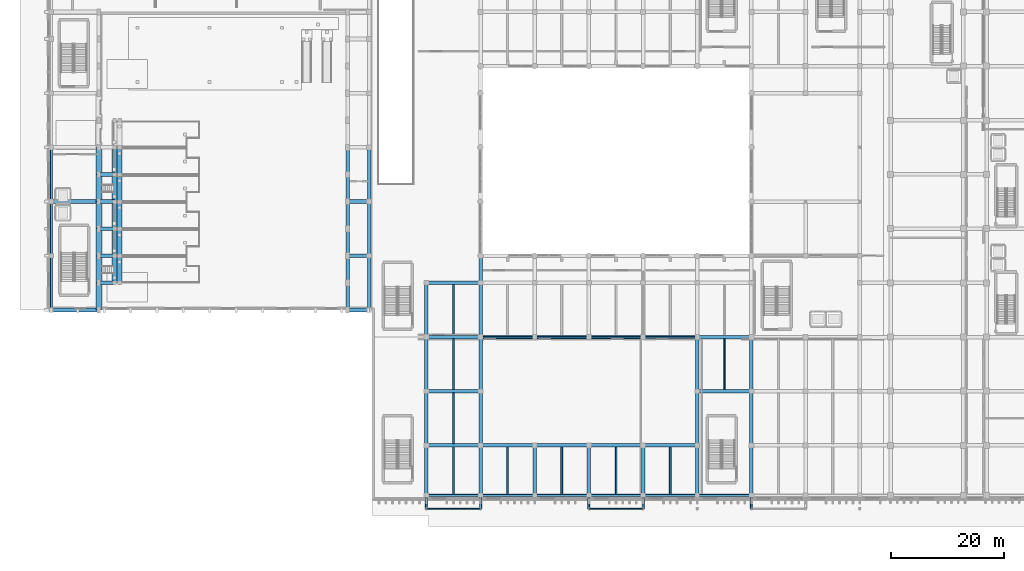
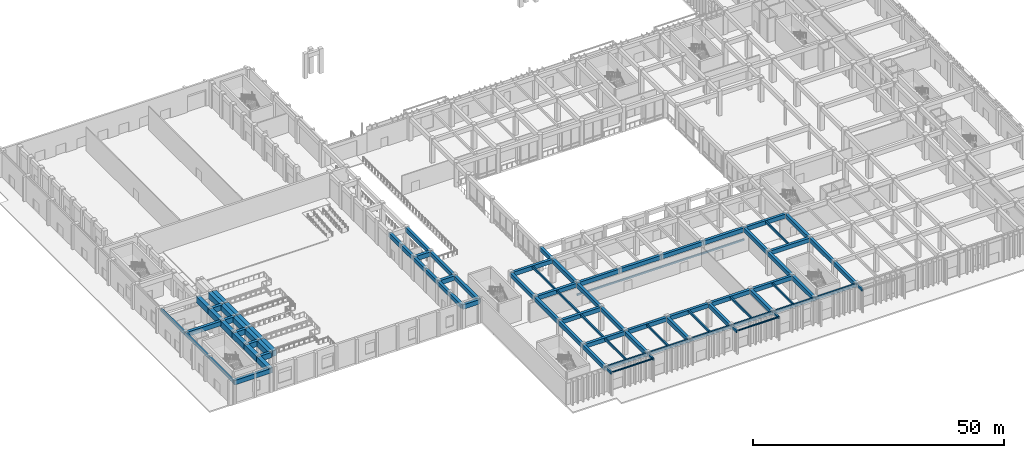
# One storey, part 15 of 87: 96 beams.
"""IFC4 building model written with IfcOpenShell, lengths in metres."""

from ifc_helpers import new_model, si_unit, direction, frame, origin, origin_2d, place, context, subcontext, project, spatial, rectangle, i_section, extrude, material, material_profile, profile_set, type_object, element, save


model = new_model("IFC4")

# Units and contexts
model_context = context("Model", 3, precision=1e-05, world=origin(), true_north=direction((0.0, 1.0)))
body_context = subcontext(model_context, "Body", "Model", "MODEL_VIEW")
ifc_project = project(units=[si_unit("LENGTHUNIT", "METRE"), si_unit("AREAUNIT", "SQUARE_METRE"), si_unit("VOLUMEUNIT", "CUBIC_METRE"), si_unit("PLANEANGLEUNIT", "RADIAN"), si_unit("MASSUNIT", "GRAM", prefix="KILO")], contexts=[model_context])

# Site, building, storey
site_placement = place(None, origin())
site = spatial("IfcSite", under=ifc_project, at=site_placement, CompositionType="ELEMENT")
building_placement = place(site_placement, origin())
building = spatial("IfcBuilding", under=site, at=building_placement, Name="Nakhvara Creek Congress Hotel", CompositionType="ELEMENT")
storey_placement = place(building_placement, origin())
storey = spatial("IfcBuildingStorey", under=building, at=storey_placement, Name="L00", CompositionType="ELEMENT", Elevation=0.0)

# Beams
ifc_material_1 = material(Name="Concrete C40/50", Category="concrete")
ifc_material_profile_1 = material_profile(ifc_material_1, rectangle(XDim=0.35009765625, YDim=0.550048828125, at=origin_2d()), Name="RC-BM 350x550", Category="LoadBearing")
ifc_profile_set_1 = profile_set([ifc_material_profile_1], Name="Concrete C40/50")
beam_type_1 = type_object("IfcBeamType", Name="BM-CANT-BOX", PredefinedType="BEAM", material=ifc_profile_set_1)
for number, where, z_axis, x_axis, name in (
    (1, (67.199951171875, 0.75, 5.425048828125), (0.0, -1.0, 0.0), (1.0, 0.0, 0.0), "Foyer Box Outrigger Beam PBOX-L01-S1-67"),
    (2, (76.800048828125, 0.75, 5.425048828125), (0.0, -1.0, 0.0), (1.0, 0.0, 0.0), "Foyer Box Outrigger Beam PBOX-L01-S1-76"),
    (3, (96.0, 0.75, 5.425048828125), (0.0, -1.0, 0.0), (1.0, 0.0, 0.0), "Foyer Box Outrigger Beam PBOX-L01-S2-96"),
    (4, (105.60009765625, 0.75, 5.425048828125), (0.0, -1.0, 0.0), (1.0, 0.0, 0.0), "Foyer Box Outrigger Beam PBOX-L01-S2-105"),
    (5, (124.800048828125, 0.75, 5.425048828125), (0.0, -1.0, 0.0), (1.0, 0.0, 0.0), "Foyer Box Outrigger Beam PBOX-L01-S3-124"),
):
    element("IfcBeam", number, at=place(storey_placement, frame(where, z_axis=z_axis, x_axis=x_axis)), inside=storey, type_object=beam_type_1, Name=name, PredefinedType="BEAM", context=body_context, shape_type="SweptSolid", body=[
        extrude(rectangle(XDim=0.35009765625, YDim=0.550048828125, at=origin_2d()), origin(), (0.0, 0.0, 1.0), 2.39990234375),
    ])
ifc_material_profile_2 = material_profile(ifc_material_1, rectangle(XDim=0.300048828125, YDim=0.5, at=origin_2d()), Name="RC-BM 300x500", Category="LoadBearing")
ifc_profile_set_2 = profile_set([ifc_material_profile_2], Name="Concrete C40/50")
beam_type_2 = type_object("IfcBeamType", Name="BM-JST-300X500", PredefinedType="JOIST", material=ifc_profile_set_2)
beam_1_placement = place(storey_placement, frame((72.0, 0.925048828125, 5.449951171875), z_axis=(0.0, 1.0, 0.0), x_axis=(-1.0, 0.0, 0.0)))
element("IfcBeam", 6, at=beam_1_placement, inside=storey, type_object=beam_type_2, Name="Secondary Joist BJ1-L00-1029", PredefinedType="JOIST", context=body_context, shape_type="SweptSolid", body=[
    extrude(rectangle(XDim=0.300048828125, YDim=0.5, at=origin_2d()), origin(), (0.0, 0.0, 1.0), 8.364990234375),
])
for number, where, z_axis, x_axis, name in (
    (7, (72.0, 9.909912109375, 5.449951171875), (0.0, 1.0, 0.0), (-1.0, 0.0, 0.0), "Secondary Joist BJ1-L00-1030"),
    (8, (72.0, 19.510009765625, 5.449951171875), (0.0, 1.0, 0.0), (-1.0, 0.0, 0.0), "Secondary Joist BJ1-L00-1031"),
    (9, (72.0, 29.110107421875, 5.449951171875), (0.0, 1.0, 0.0), (-1.0, 0.0, 0.0), "Secondary Joist BJ1-L00-1032"),
):
    element("IfcBeam", number, at=place(storey_placement, frame(where, z_axis=z_axis, x_axis=x_axis)), inside=storey, type_object=beam_type_2, Name=name, PredefinedType="JOIST", context=body_context, shape_type="SweptSolid", body=[
        extrude(rectangle(XDim=0.300048828125, YDim=0.5, at=origin_2d()), origin(), (0.0, 0.0, 1.0), 8.97998046875),
    ])
for number, where, z_axis, x_axis, name in (
    (10, (81.60009765625, 0.925048828125, 5.449951171875), (0.0, 1.0, 0.0), (-1.0, 0.0, 0.0), "Secondary Joist BJ1-L00-1033"),
    (11, (91.199951171875, 0.925048828125, 5.449951171875), (0.0, 1.0, 0.0), (-1.0, 0.0, 0.0), "Secondary Joist BJ1-L00-1037"),
    (12, (100.800048828125, 0.925048828125, 5.449951171875), (0.0, 1.0, 0.0), (-1.0, 0.0, 0.0), "Secondary Joist BJ1-L00-1041"),
    (13, (110.39990234375, 0.925048828125, 5.449951171875), (0.0, 1.0, 0.0), (-1.0, 0.0, 0.0), "Secondary Joist BJ1-L00-1045"),
):
    element("IfcBeam", number, at=place(storey_placement, frame(where, z_axis=z_axis, x_axis=x_axis)), inside=storey, type_object=beam_type_2, Name=name, PredefinedType="JOIST", context=body_context, shape_type="SweptSolid", body=[
        extrude(rectangle(XDim=0.300048828125, YDim=0.5, at=origin_2d()), origin(), (0.0, 0.0, 1.0), 8.364990234375),
    ])
beam_2_placement = place(storey_placement, frame((120.0, 19.510009765625, 5.449951171875), z_axis=(0.0, 1.0, 0.0), x_axis=(-1.0, 0.0, 0.0)))
element("IfcBeam", 14, at=beam_2_placement, inside=storey, type_object=beam_type_2, Name="Secondary Joist BJ1-L00-1049", PredefinedType="JOIST", context=body_context, shape_type="SweptSolid", body=[
    extrude(rectangle(XDim=0.300048828125, YDim=0.5, at=origin_2d()), origin(), (0.0, 0.0, 1.0), 8.97998046875),
])
ifc_material_profile_3 = material_profile(ifc_material_1, rectangle(XDim=0.300048828125, YDim=0.39990234375, at=origin_2d()), Name="RC-LINTEL 300x400", Category="LoadBearing")
ifc_profile_set_3 = profile_set([ifc_material_profile_3], Name="Concrete C40/50")
beam_type_3 = type_object("IfcBeamType", Name="BM-LIN-300X400", PredefinedType="LINTEL", material=ifc_profile_set_3)
beam_3_placement = place(storey_placement, frame((76.800048828125, 28.800048828125, 2.64990234375), z_axis=(1.0, 0.0, 0.0), x_axis=(0.0, 1.0, 0.0)))
element("IfcBeam", 15, at=beam_3_placement, inside=storey, type_object=beam_type_3, Name="Opening Lintel Beam 01", PredefinedType="LINTEL", context=body_context, shape_type="SweptSolid", body=[
    extrude(rectangle(XDim=0.300048828125, YDim=0.39990234375, at=origin_2d()), origin(), (0.0, 0.0, 1.0), 9.599853515625),
])
for number, where, z_axis, x_axis, name in (
    (16, (86.39990234375, 28.800048828125, 2.64990234375), (1.0, 0.0, 0.0), (0.0, 1.0, 0.0), "Opening Lintel Beam 02"),
    (17, (96.0, 28.800048828125, 2.64990234375), (1.0, 0.0, 0.0), (0.0, 1.0, 0.0), "Opening Lintel Beam 03"),
):
    element("IfcBeam", number, at=place(storey_placement, frame(where, z_axis=z_axis, x_axis=x_axis)), inside=storey, type_object=beam_type_3, Name=name, PredefinedType="LINTEL", context=body_context, shape_type="SweptSolid", body=[
        extrude(rectangle(XDim=0.300048828125, YDim=0.39990234375, at=origin_2d()), origin(), (0.0, 0.0, 1.0), 9.60009765625),
    ])
beam_4_placement = place(storey_placement, frame((105.60009765625, 28.800048828125, 2.64990234375), z_axis=(1.0, 0.0, 0.0), x_axis=(0.0, 1.0, 0.0)))
element("IfcBeam", 18, at=beam_4_placement, inside=storey, type_object=beam_type_3, Name="Opening Lintel Beam 04", PredefinedType="LINTEL", context=body_context, shape_type="SweptSolid", body=[
    extrude(rectangle(XDim=0.300048828125, YDim=0.39990234375, at=origin_2d()), origin(), (0.0, 0.0, 1.0), 9.599853515625),
])
ifc_material_2 = material(Name="Concrete C50/60", Category="concrete")
ifc_material_profile_4 = material_profile(ifc_material_2, rectangle(XDim=0.64990234375, YDim=1.300048828125, at=origin_2d()), Name="RC-RAKER 650x1300", Category="LoadBearing")
ifc_profile_set_4 = profile_set([ifc_material_profile_4], Name="Concrete C50/60")
beam_type_4 = type_object("IfcBeamType", Name="BM-RAKER-UP", PredefinedType="BEAM", material=ifc_profile_set_4)
for number, where, z_axis, x_axis, name in (
    (19, (9.14990234375, 38.39990234375, 5.050048828125), (1.0, 0.0, 0.0), (0.0, 1.0, 0.0), "Congress Stand RAKER L01-01"),
    (20, (9.14990234375, 43.199951171875, 5.050048828125), (1.0, 0.0, 0.0), (0.0, 1.0, 0.0), "Congress Stand RAKER L01-02"),
    (21, (9.14990234375, 48.0, 5.050048828125), (1.0, 0.0, 0.0), (0.0, 1.0, 0.0), "Congress Stand RAKER L01-03"),
    (22, (9.14990234375, 52.800048828125, 5.050048828125), (1.0, 0.0, 0.0), (0.0, 1.0, 0.0), "Congress Stand RAKER L01-04"),
    (23, (9.14990234375, 57.60009765625, 5.050048828125), (1.0, 0.0, 0.0), (0.0, 1.0, 0.0), "Congress Stand RAKER L01-05"),
):
    element("IfcBeam", number, at=place(storey_placement, frame(where, z_axis=z_axis, x_axis=x_axis)), inside=storey, type_object=beam_type_4, Name=name, PredefinedType="BEAM", context=body_context, shape_type="SweptSolid", body=[
        extrude(rectangle(XDim=0.64990234375, YDim=1.300048828125, at=origin_2d()), origin(), (0.0, 0.0, 1.0), 2.800048828125),
    ])
ifc_material_profile_5 = material_profile(ifc_material_2, rectangle(XDim=0.6201171875, YDim=1.0, at=origin_2d()), Name="RC-BM 620x1000", Category="LoadBearing")
ifc_profile_set_5 = profile_set([ifc_material_profile_5], Name="Concrete C50/60")
beam_type_5 = type_object("IfcBeamType", Name="BM-RC-620X1000", PredefinedType="BEAM", material=ifc_profile_set_5)
beam_5_placement = place(storey_placement, frame((57.050048828125, 33.60009765625, 5.199951171875), z_axis=(0.0, 1.0, 0.0), x_axis=(-1.0, 0.0, 0.0)))
element("IfcBeam", 24, at=beam_5_placement, inside=storey, type_object=beam_type_5, Name="Beam B16-L00-0723", PredefinedType="BEAM", context=body_context, shape_type="SweptSolid", body=[
    extrude(rectangle(XDim=0.6201171875, YDim=1.0, at=origin_2d()), origin(), (0.0, 0.0, 1.0), 9.599853515625),
])
beam_6_placement = place(storey_placement, frame((57.050048828125, 43.199951171875, 5.199951171875), z_axis=(0.0, 1.0, 0.0), x_axis=(-1.0, 0.0, 0.0)))
element("IfcBeam", 25, at=beam_6_placement, inside=storey, type_object=beam_type_5, Name="Beam B16-L00-0726", PredefinedType="BEAM", context=body_context, shape_type="SweptSolid", body=[
    extrude(rectangle(XDim=0.6201171875, YDim=1.0, at=origin_2d()), origin(), (0.0, 0.0, 1.0), 9.60009765625),
])
beam_7_placement = place(storey_placement, frame((57.050048828125, 52.800048828125, 5.199951171875), z_axis=(0.0, 1.0, 0.0), x_axis=(-1.0, 0.0, 0.0)))
element("IfcBeam", 26, at=beam_7_placement, inside=storey, type_object=beam_type_5, Name="Beam B16-L00-0730", PredefinedType="BEAM", context=body_context, shape_type="SweptSolid", body=[
    extrude(rectangle(XDim=0.6201171875, YDim=1.0, at=origin_2d()), origin(), (0.0, 0.0, 1.0), 9.599853515625),
])
beam_8_placement = place(storey_placement, frame((53.25, 33.60009765625, 5.199951171875), z_axis=(0.0, 1.0, 0.0), x_axis=(-1.0, 0.0, 0.0)))
element("IfcBeam", 27, at=beam_8_placement, inside=storey, type_object=beam_type_5, Name="Beam B16-L00-0748", PredefinedType="BEAM", context=body_context, shape_type="SweptSolid", body=[
    extrude(rectangle(XDim=0.6201171875, YDim=1.0, at=origin_2d()), origin(), (0.0, 0.0, 1.0), 4.7998046875),
])
for number, where, z_axis, x_axis, name in (
    (28, (53.25, 38.39990234375, 5.199951171875), (0.0, 1.0, 0.0), (-1.0, 0.0, 0.0), "Beam B16-L00-0750"),
    (29, (53.25, 43.199951171875, 5.199951171875), (0.0, 1.0, 0.0), (-1.0, 0.0, 0.0), "Beam B16-L00-0752"),
    (30, (53.25, 48.0, 5.199951171875), (0.0, 1.0, 0.0), (-1.0, 0.0, 0.0), "Beam B16-L00-0754"),
    (31, (53.25, 52.800048828125, 5.199951171875), (0.0, 1.0, 0.0), (-1.0, 0.0, 0.0), "Beam B16-L00-0756"),
):
    element("IfcBeam", number, at=place(storey_placement, frame(where, z_axis=z_axis, x_axis=x_axis)), inside=storey, type_object=beam_type_5, Name=name, PredefinedType="BEAM", context=body_context, shape_type="SweptSolid", body=[
        extrude(rectangle(XDim=0.6201171875, YDim=1.0, at=origin_2d()), origin(), (0.0, 0.0, 1.0), 4.800048828125),
    ])
beam_9_placement = place(storey_placement, frame((53.25, 57.60009765625, 5.199951171875), z_axis=(0.0, 1.0, 0.0), x_axis=(-1.0, 0.0, 0.0)))
element("IfcBeam", 32, at=beam_9_placement, inside=storey, type_object=beam_type_5, Name="Beam B16-L00-0758", PredefinedType="BEAM", context=body_context, shape_type="SweptSolid", body=[
    extrude(rectangle(XDim=0.6201171875, YDim=1.0, at=origin_2d()), origin(), (0.0, 0.0, 1.0), 4.7998046875),
])
beam_10_placement = place(storey_placement, frame((67.199951171875, 0.75, 5.199951171875), z_axis=(0.0, 1.0, 0.0), x_axis=(-1.0, 0.0, 0.0)))
element("IfcBeam", 33, at=beam_10_placement, inside=storey, type_object=beam_type_5, Name="Beam B16-L00-0801", PredefinedType="BEAM", context=body_context, shape_type="SweptSolid", body=[
    extrude(rectangle(XDim=0.6201171875, YDim=1.0, at=origin_2d()), origin(), (0.0, 0.0, 1.0), 8.85009765625),
])
beam_11_placement = place(storey_placement, frame((67.199951171875, 9.60009765625, 5.199951171875), z_axis=(0.0, 1.0, 0.0), x_axis=(-1.0, 0.0, 0.0)))
element("IfcBeam", 34, at=beam_11_placement, inside=storey, type_object=beam_type_5, Name="Beam B16-L00-0803", PredefinedType="BEAM", context=body_context, shape_type="SweptSolid", body=[
    extrude(rectangle(XDim=0.6201171875, YDim=1.0, at=origin_2d()), origin(), (0.0, 0.0, 1.0), 9.599853515625),
])
for number, where, z_axis, x_axis, name in (
    (35, (67.199951171875, 9.60009765625, 5.199951171875), (1.0, 0.0, 0.0), (0.0, 1.0, 0.0), "Beam B16-L00-0804"),
    (36, (67.199951171875, 19.199951171875, 5.199951171875), (0.0, 1.0, 0.0), (-1.0, 0.0, 0.0), "Beam B16-L00-0805"),
    (37, (67.199951171875, 19.199951171875, 5.199951171875), (1.0, 0.0, 0.0), (0.0, 1.0, 0.0), "Beam B16-L00-0806"),
):
    element("IfcBeam", number, at=place(storey_placement, frame(where, z_axis=z_axis, x_axis=x_axis)), inside=storey, type_object=beam_type_5, Name=name, PredefinedType="BEAM", context=body_context, shape_type="SweptSolid", body=[
        extrude(rectangle(XDim=0.6201171875, YDim=1.0, at=origin_2d()), origin(), (0.0, 0.0, 1.0), 9.60009765625),
    ])
beam_12_placement = place(storey_placement, frame((67.199951171875, 28.800048828125, 5.199951171875), z_axis=(0.0, 1.0, 0.0), x_axis=(-1.0, 0.0, 0.0)))
element("IfcBeam", 38, at=beam_12_placement, inside=storey, type_object=beam_type_5, Name="Beam B16-L00-0807", PredefinedType="BEAM", context=body_context, shape_type="SweptSolid", body=[
    extrude(rectangle(XDim=0.6201171875, YDim=1.0, at=origin_2d()), origin(), (0.0, 0.0, 1.0), 9.599853515625),
])
for number, where, z_axis, x_axis, name in (
    (39, (67.199951171875, 28.800048828125, 5.199951171875), (1.0, 0.0, 0.0), (0.0, 1.0, 0.0), "Beam B16-L00-0808"),
    (40, (67.199951171875, 38.39990234375, 5.199951171875), (1.0, 0.0, 0.0), (0.0, 1.0, 0.0), "Beam B16-L00-0809"),
):
    element("IfcBeam", number, at=place(storey_placement, frame(where, z_axis=z_axis, x_axis=x_axis)), inside=storey, type_object=beam_type_5, Name=name, PredefinedType="BEAM", context=body_context, shape_type="SweptSolid", body=[
        extrude(rectangle(XDim=0.6201171875, YDim=1.0, at=origin_2d()), origin(), (0.0, 0.0, 1.0), 9.60009765625),
    ])
beam_13_placement = place(storey_placement, frame((76.800048828125, 0.75, 5.199951171875), z_axis=(0.0, 1.0, 0.0), x_axis=(-1.0, 0.0, 0.0)))
element("IfcBeam", 41, at=beam_13_placement, inside=storey, type_object=beam_type_5, Name="Beam B16-L00-0810", PredefinedType="BEAM", context=body_context, shape_type="SweptSolid", body=[
    extrude(rectangle(XDim=0.6201171875, YDim=1.0, at=origin_2d()), origin(), (0.0, 0.0, 1.0), 8.85009765625),
])
for number, where, z_axis, x_axis, name in (
    (42, (76.800048828125, 9.60009765625, 5.199951171875), (0.0, 1.0, 0.0), (-1.0, 0.0, 0.0), "Beam B16-L00-0812"),
    (43, (76.800048828125, 9.60009765625, 5.199951171875), (1.0, 0.0, 0.0), (0.0, 1.0, 0.0), "Beam B16-L00-0813"),
):
    element("IfcBeam", number, at=place(storey_placement, frame(where, z_axis=z_axis, x_axis=x_axis)), inside=storey, type_object=beam_type_5, Name=name, PredefinedType="BEAM", context=body_context, shape_type="SweptSolid", body=[
        extrude(rectangle(XDim=0.6201171875, YDim=1.0, at=origin_2d()), origin(), (0.0, 0.0, 1.0), 9.599853515625),
    ])
beam_14_placement = place(storey_placement, frame((76.800048828125, 19.199951171875, 5.199951171875), z_axis=(0.0, 1.0, 0.0), x_axis=(-1.0, 0.0, 0.0)))
element("IfcBeam", 44, at=beam_14_placement, inside=storey, type_object=beam_type_5, Name="Beam B16-L00-0814", PredefinedType="BEAM", context=body_context, shape_type="SweptSolid", body=[
    extrude(rectangle(XDim=0.6201171875, YDim=1.0, at=origin_2d()), origin(), (0.0, 0.0, 1.0), 9.60009765625),
])
for number, where, z_axis, x_axis, name in (
    (45, (76.800048828125, 28.800048828125, 5.199951171875), (0.0, 1.0, 0.0), (-1.0, 0.0, 0.0), "Beam B16-L00-0815"),
    (46, (76.800048828125, 28.800048828125, 5.199951171875), (1.0, 0.0, 0.0), (0.0, 1.0, 0.0), "Beam B16-L00-0816"),
):
    element("IfcBeam", number, at=place(storey_placement, frame(where, z_axis=z_axis, x_axis=x_axis)), inside=storey, type_object=beam_type_5, Name=name, PredefinedType="BEAM", context=body_context, shape_type="SweptSolid", body=[
        extrude(rectangle(XDim=0.6201171875, YDim=1.0, at=origin_2d()), origin(), (0.0, 0.0, 1.0), 9.599853515625),
    ])
beam_15_placement = place(storey_placement, frame((76.800048828125, 38.39990234375, 5.199951171875), z_axis=(0.0, 1.0, 0.0), x_axis=(-1.0, 0.0, 0.0)))
element("IfcBeam", 47, at=beam_15_placement, inside=storey, type_object=beam_type_5, Name="Beam B16-L00-0817", PredefinedType="BEAM", context=body_context, shape_type="SweptSolid", body=[
    extrude(rectangle(XDim=0.6201171875, YDim=1.0, at=origin_2d()), origin(), (0.0, 0.0, 1.0), 4.800048828125),
])
beam_16_placement = place(storey_placement, frame((86.39990234375, 0.75, 5.199951171875), z_axis=(0.0, 1.0, 0.0), x_axis=(-1.0, 0.0, 0.0)))
element("IfcBeam", 48, at=beam_16_placement, inside=storey, type_object=beam_type_5, Name="Beam B16-L00-0829", PredefinedType="BEAM", context=body_context, shape_type="SweptSolid", body=[
    extrude(rectangle(XDim=0.6201171875, YDim=1.0, at=origin_2d()), origin(), (0.0, 0.0, 1.0), 8.85009765625),
])
for number, where, z_axis, x_axis, name in (
    (49, (86.39990234375, 9.60009765625, 5.199951171875), (1.0, 0.0, 0.0), (0.0, 1.0, 0.0), "Beam B16-L00-0831"),
    (50, (86.39990234375, 28.800048828125, 5.199951171875), (1.0, 0.0, 0.0), (0.0, 1.0, 0.0), "Beam B16-L00-0833"),
):
    element("IfcBeam", number, at=place(storey_placement, frame(where, z_axis=z_axis, x_axis=x_axis)), inside=storey, type_object=beam_type_5, Name=name, PredefinedType="BEAM", context=body_context, shape_type="SweptSolid", body=[
        extrude(rectangle(XDim=0.6201171875, YDim=1.0, at=origin_2d()), origin(), (0.0, 0.0, 1.0), 9.60009765625),
    ])
beam_17_placement = place(storey_placement, frame((96.0, 0.75, 5.199951171875), z_axis=(0.0, 1.0, 0.0), x_axis=(-1.0, 0.0, 0.0)))
element("IfcBeam", 51, at=beam_17_placement, inside=storey, type_object=beam_type_5, Name="Beam B16-L00-0842", PredefinedType="BEAM", context=body_context, shape_type="SweptSolid", body=[
    extrude(rectangle(XDim=0.6201171875, YDim=1.0, at=origin_2d()), origin(), (0.0, 0.0, 1.0), 8.85009765625),
])
for number, where, z_axis, x_axis, name in (
    (52, (96.0, 9.60009765625, 5.199951171875), (1.0, 0.0, 0.0), (0.0, 1.0, 0.0), "Beam B16-L00-0844"),
    (53, (96.0, 28.800048828125, 5.199951171875), (1.0, 0.0, 0.0), (0.0, 1.0, 0.0), "Beam B16-L00-0846"),
):
    element("IfcBeam", number, at=place(storey_placement, frame(where, z_axis=z_axis, x_axis=x_axis)), inside=storey, type_object=beam_type_5, Name=name, PredefinedType="BEAM", context=body_context, shape_type="SweptSolid", body=[
        extrude(rectangle(XDim=0.6201171875, YDim=1.0, at=origin_2d()), origin(), (0.0, 0.0, 1.0), 9.60009765625),
    ])
beam_18_placement = place(storey_placement, frame((105.60009765625, 0.75, 5.199951171875), z_axis=(0.0, 1.0, 0.0), x_axis=(-1.0, 0.0, 0.0)))
element("IfcBeam", 54, at=beam_18_placement, inside=storey, type_object=beam_type_5, Name="Beam B16-L00-0855", PredefinedType="BEAM", context=body_context, shape_type="SweptSolid", body=[
    extrude(rectangle(XDim=0.6201171875, YDim=1.0, at=origin_2d()), origin(), (0.0, 0.0, 1.0), 8.85009765625),
])
for number, where, z_axis, x_axis, name in (
    (55, (105.60009765625, 9.60009765625, 5.199951171875), (1.0, 0.0, 0.0), (0.0, 1.0, 0.0), "Beam B16-L00-0857"),
    (56, (105.60009765625, 28.800048828125, 5.199951171875), (1.0, 0.0, 0.0), (0.0, 1.0, 0.0), "Beam B16-L00-0859"),
):
    element("IfcBeam", number, at=place(storey_placement, frame(where, z_axis=z_axis, x_axis=x_axis)), inside=storey, type_object=beam_type_5, Name=name, PredefinedType="BEAM", context=body_context, shape_type="SweptSolid", body=[
        extrude(rectangle(XDim=0.6201171875, YDim=1.0, at=origin_2d()), origin(), (0.0, 0.0, 1.0), 9.599853515625),
    ])
beam_19_placement = place(storey_placement, frame((115.199951171875, 0.75, 5.199951171875), z_axis=(0.0, 1.0, 0.0), x_axis=(-1.0, 0.0, 0.0)))
element("IfcBeam", 57, at=beam_19_placement, inside=storey, type_object=beam_type_5, Name="Beam B16-L00-0868", PredefinedType="BEAM", context=body_context, shape_type="SweptSolid", body=[
    extrude(rectangle(XDim=0.6201171875, YDim=1.0, at=origin_2d()), origin(), (0.0, 0.0, 1.0), 8.85009765625),
])
beam_20_placement = place(storey_placement, frame((115.199951171875, 9.60009765625, 5.199951171875), z_axis=(0.0, 1.0, 0.0), x_axis=(-1.0, 0.0, 0.0)))
element("IfcBeam", 58, at=beam_20_placement, inside=storey, type_object=beam_type_5, Name="Beam B16-L00-0870", PredefinedType="BEAM", context=body_context, shape_type="SweptSolid", body=[
    extrude(rectangle(XDim=0.6201171875, YDim=1.0, at=origin_2d()), origin(), (0.0, 0.0, 1.0), 9.599853515625),
])
for number, where, z_axis, x_axis, name in (
    (59, (115.199951171875, 19.199951171875, 5.199951171875), (0.0, 1.0, 0.0), (-1.0, 0.0, 0.0), "Beam B16-L00-0871"),
    (60, (115.199951171875, 19.199951171875, 5.199951171875), (1.0, 0.0, 0.0), (0.0, 1.0, 0.0), "Beam B16-L00-0872"),
    (61, (115.199951171875, 28.800048828125, 5.199951171875), (1.0, 0.0, 0.0), (0.0, 1.0, 0.0), "Beam B16-L00-0874"),
):
    element("IfcBeam", number, at=place(storey_placement, frame(where, z_axis=z_axis, x_axis=x_axis)), inside=storey, type_object=beam_type_5, Name=name, PredefinedType="BEAM", context=body_context, shape_type="SweptSolid", body=[
        extrude(rectangle(XDim=0.6201171875, YDim=1.0, at=origin_2d()), origin(), (0.0, 0.0, 1.0), 9.60009765625),
    ])
beam_21_placement = place(storey_placement, frame((124.800048828125, 0.75, 5.199951171875), z_axis=(0.0, 1.0, 0.0), x_axis=(-1.0, 0.0, 0.0)))
element("IfcBeam", 62, at=beam_21_placement, inside=storey, type_object=beam_type_5, Name="Beam B16-L00-0882", PredefinedType="BEAM", context=body_context, shape_type="SweptSolid", body=[
    extrude(rectangle(XDim=0.6201171875, YDim=1.0, at=origin_2d()), origin(), (0.0, 0.0, 1.0), 8.85009765625),
])
beam_22_placement = place(storey_placement, frame((124.800048828125, 9.60009765625, 5.199951171875), z_axis=(0.0, 1.0, 0.0), x_axis=(-1.0, 0.0, 0.0)))
element("IfcBeam", 63, at=beam_22_placement, inside=storey, type_object=beam_type_5, Name="Beam B16-L00-0884", PredefinedType="BEAM", context=body_context, shape_type="SweptSolid", body=[
    extrude(rectangle(XDim=0.6201171875, YDim=1.0, at=origin_2d()), origin(), (0.0, 0.0, 1.0), 9.599853515625),
])
beam_23_placement = place(storey_placement, frame((124.800048828125, 19.199951171875, 5.199951171875), z_axis=(0.0, 1.0, 0.0), x_axis=(-1.0, 0.0, 0.0)))
element("IfcBeam", 64, at=beam_23_placement, inside=storey, type_object=beam_type_5, Name="Beam B16-L00-0886", PredefinedType="BEAM", context=body_context, shape_type="SweptSolid", body=[
    extrude(rectangle(XDim=0.6201171875, YDim=1.0, at=origin_2d()), origin(), (0.0, 0.0, 1.0), 9.60009765625),
])
ifc_material_profile_6 = material_profile(ifc_material_2, rectangle(XDim=0.64990234375, YDim=1.10009765625, at=origin_2d()), Name="RC-BM 650x1100", Category="LoadBearing")
ifc_profile_set_6 = profile_set([ifc_material_profile_6], Name="Concrete C50/60")
beam_type_6 = type_object("IfcBeamType", Name="BM-RC-650X1100", PredefinedType="BEAM", material=ifc_profile_set_6)
beam_24_placement = place(storey_placement, frame((0.75, 33.60009765625, 5.14990234375), z_axis=(1.0, 0.0, 0.0), x_axis=(0.0, 1.0, 0.0)))
element("IfcBeam", 65, at=beam_24_placement, inside=storey, type_object=beam_type_6, Name="Beam B17-L00-0722", PredefinedType="BEAM", context=body_context, shape_type="SweptSolid", body=[
    extrude(rectangle(XDim=0.64990234375, YDim=1.10009765625, at=origin_2d()), origin(), (0.0, 0.0, 1.0), 8.39990234375),
])
for number, where, z_axis, x_axis, name in (
    (66, (53.25, 33.60009765625, 5.14990234375), (1.0, 0.0, 0.0), (0.0, 1.0, 0.0), "Beam B17-L00-0724"),
    (67, (53.25, 43.199951171875, 5.14990234375), (1.0, 0.0, 0.0), (0.0, 1.0, 0.0), "Beam B17-L00-0727"),
):
    element("IfcBeam", number, at=place(storey_placement, frame(where, z_axis=z_axis, x_axis=x_axis)), inside=storey, type_object=beam_type_6, Name=name, PredefinedType="BEAM", context=body_context, shape_type="SweptSolid", body=[
        extrude(rectangle(XDim=0.64990234375, YDim=1.10009765625, at=origin_2d()), origin(), (0.0, 0.0, 1.0), 3.800048828125),
    ])
beam_25_placement = place(storey_placement, frame((0.75, 52.800048828125, 5.14990234375), z_axis=(1.0, 0.0, 0.0), x_axis=(0.0, 1.0, 0.0)))
element("IfcBeam", 68, at=beam_25_placement, inside=storey, type_object=beam_type_6, Name="Beam B17-L00-0729", PredefinedType="BEAM", context=body_context, shape_type="SweptSolid", body=[
    extrude(rectangle(XDim=0.64990234375, YDim=1.10009765625, at=origin_2d()), origin(), (0.0, 0.0, 1.0), 8.39990234375),
])
beam_26_placement = place(storey_placement, frame((53.25, 52.800048828125, 5.14990234375), z_axis=(1.0, 0.0, 0.0), x_axis=(0.0, 1.0, 0.0)))
element("IfcBeam", 69, at=beam_26_placement, inside=storey, type_object=beam_type_6, Name="Beam B17-L00-0731", PredefinedType="BEAM", context=body_context, shape_type="SweptSolid", body=[
    extrude(rectangle(XDim=0.64990234375, YDim=1.10009765625, at=origin_2d()), origin(), (0.0, 0.0, 1.0), 3.800048828125),
])
ifc_material_profile_7 = material_profile(ifc_material_1, rectangle(XDim=0.35009765625, YDim=0.75, at=origin_2d()), Name="RC-SPANDREL 350x750", Category="LoadBearing")
ifc_profile_set_7 = profile_set([ifc_material_profile_7], Name="Concrete C40/50")
beam_type_7 = type_object("IfcBeamType", Name="BM-SPN-350X750", PredefinedType="SPANDREL", material=ifc_profile_set_7)
beam_27_placement = place(storey_placement, frame((0.75, 33.60009765625, 5.324951171875), z_axis=(0.0, 1.0, 0.0), x_axis=(-1.0, 0.0, 0.0)))
element("IfcBeam", 70, at=beam_27_placement, inside=storey, type_object=beam_type_7, Name="Beam SP1-L00-0721", PredefinedType="SPANDREL", context=body_context, shape_type="SweptSolid", body=[
    extrude(rectangle(XDim=0.35009765625, YDim=0.75, at=origin_2d()), origin(), (0.0, 0.0, 1.0), 9.599853515625),
])
beam_28_placement = place(storey_placement, frame((0.75, 43.199951171875, 5.324951171875), z_axis=(0.0, 1.0, 0.0), x_axis=(-1.0, 0.0, 0.0)))
element("IfcBeam", 71, at=beam_28_placement, inside=storey, type_object=beam_type_7, Name="Beam SP1-L00-0725", PredefinedType="SPANDREL", context=body_context, shape_type="SweptSolid", body=[
    extrude(rectangle(XDim=0.35009765625, YDim=0.75, at=origin_2d()), origin(), (0.0, 0.0, 1.0), 9.60009765625),
])
beam_29_placement = place(storey_placement, frame((0.75, 52.800048828125, 5.324951171875), z_axis=(0.0, 1.0, 0.0), x_axis=(-1.0, 0.0, 0.0)))
element("IfcBeam", 72, at=beam_29_placement, inside=storey, type_object=beam_type_7, Name="Beam SP1-L00-0728", PredefinedType="SPANDREL", context=body_context, shape_type="SweptSolid", body=[
    extrude(rectangle(XDim=0.35009765625, YDim=0.75, at=origin_2d()), origin(), (0.0, 0.0, 1.0), 9.599853515625),
])
beam_30_placement = place(storey_placement, frame((67.199951171875, 0.75, 5.324951171875), z_axis=(1.0, 0.0, 0.0), x_axis=(0.0, 1.0, 0.0)))
element("IfcBeam", 73, at=beam_30_placement, inside=storey, type_object=beam_type_7, Name="Beam SP1-L00-0802", PredefinedType="SPANDREL", context=body_context, shape_type="SweptSolid", body=[
    extrude(rectangle(XDim=0.35009765625, YDim=0.75, at=origin_2d()), origin(), (0.0, 0.0, 1.0), 9.60009765625),
])
beam_31_placement = place(storey_placement, frame((76.800048828125, 0.75, 5.324951171875), z_axis=(1.0, 0.0, 0.0), x_axis=(0.0, 1.0, 0.0)))
element("IfcBeam", 74, at=beam_31_placement, inside=storey, type_object=beam_type_7, Name="Beam SP1-L00-0811", PredefinedType="SPANDREL", context=body_context, shape_type="SweptSolid", body=[
    extrude(rectangle(XDim=0.35009765625, YDim=0.75, at=origin_2d()), origin(), (0.0, 0.0, 1.0), 9.599853515625),
])
for number, where, z_axis, x_axis, name in (
    (75, (86.39990234375, 0.75, 5.324951171875), (1.0, 0.0, 0.0), (0.0, 1.0, 0.0), "Beam SP1-L00-0830"),
    (76, (96.0, 0.75, 5.324951171875), (1.0, 0.0, 0.0), (0.0, 1.0, 0.0), "Beam SP1-L00-0843"),
):
    element("IfcBeam", number, at=place(storey_placement, frame(where, z_axis=z_axis, x_axis=x_axis)), inside=storey, type_object=beam_type_7, Name=name, PredefinedType="SPANDREL", context=body_context, shape_type="SweptSolid", body=[
        extrude(rectangle(XDim=0.35009765625, YDim=0.75, at=origin_2d()), origin(), (0.0, 0.0, 1.0), 9.60009765625),
    ])
beam_32_placement = place(storey_placement, frame((105.60009765625, 0.75, 5.324951171875), z_axis=(1.0, 0.0, 0.0), x_axis=(0.0, 1.0, 0.0)))
element("IfcBeam", 77, at=beam_32_placement, inside=storey, type_object=beam_type_7, Name="Beam SP1-L00-0856", PredefinedType="SPANDREL", context=body_context, shape_type="SweptSolid", body=[
    extrude(rectangle(XDim=0.35009765625, YDim=0.75, at=origin_2d()), origin(), (0.0, 0.0, 1.0), 9.599853515625),
])
beam_33_placement = place(storey_placement, frame((115.199951171875, 0.75, 5.324951171875), z_axis=(1.0, 0.0, 0.0), x_axis=(0.0, 1.0, 0.0)))
element("IfcBeam", 78, at=beam_33_placement, inside=storey, type_object=beam_type_7, Name="Beam SP1-L00-0869", PredefinedType="SPANDREL", context=body_context, shape_type="SweptSolid", body=[
    extrude(rectangle(XDim=0.35009765625, YDim=0.75, at=origin_2d()), origin(), (0.0, 0.0, 1.0), 9.60009765625),
])
ifc_material_3 = material(Name="Steel S355J2", Category="steel")
ifc_material_profile_8 = material_profile(ifc_material_3, i_section(OverallWidth=0.14599609375, OverallDepth=0.25146484375, WebThickness=0.006103515625, FlangeThickness=0.008544921875, FilletRadius=0.007568359375, at=origin_2d()), Name="UB 254x146x31", Category="LoadBearing")
ifc_profile_set_8 = profile_set([ifc_material_profile_8], Name="Steel S355J2")
beam_type_8 = type_object("IfcBeamType", Name="BM-ST-UB254", PredefinedType="SPANDREL", material=ifc_profile_set_8)
for number, where, z_axis, x_axis, name in (
    (79, (67.199951171875, -1.64990234375, 5.654296875), (1.0, 0.0, 0.0), (0.0, 1.0, 0.0), "Foyer Box Edge Spandrel PBOX-L01-S1"),
    (80, (96.0, -1.64990234375, 5.654296875), (1.0, 0.0, 0.0), (0.0, 1.0, 0.0), "Foyer Box Edge Spandrel PBOX-L01-S2"),
):
    element("IfcBeam", number, at=place(storey_placement, frame(where, z_axis=z_axis, x_axis=x_axis)), inside=storey, type_object=beam_type_8, Name=name, PredefinedType="SPANDREL", context=body_context, shape_type="SweptSolid", body=[
        extrude(i_section(OverallWidth=0.14599609375, OverallDepth=0.25146484375, WebThickness=0.006103515625, FlangeThickness=0.008544921875, FilletRadius=0.007568359375, at=origin_2d()), origin(), (0.0, 0.0, 1.0), 9.60009765625),
    ])
ifc_material_profile_9 = material_profile(ifc_material_2, rectangle(XDim=0.89990234375, YDim=1.39990234375, at=origin_2d()), Name="RC-TG 900x1400", Category="LoadBearing")
ifc_profile_set_9 = profile_set([ifc_material_profile_9], Name="Concrete C50/60")
beam_type_9 = type_object("IfcBeamType", Name="BM-TG1-1400", PredefinedType="BEAM", material=ifc_profile_set_9)
beam_34_placement = place(storey_placement, frame((9.14990234375, 33.60009765625, 5.0), z_axis=(0.0, 1.0, 0.0), x_axis=(-1.0, 0.0, 0.0)))
element("IfcBeam", 81, at=beam_34_placement, inside=storey, type_object=beam_type_9, Name="Transfer Girder TG1-L00-0747", PredefinedType="BEAM", context=body_context, shape_type="SweptSolid", body=[
    extrude(rectangle(XDim=0.89990234375, YDim=1.39990234375, at=origin_2d()), origin(), (0.0, 0.0, 1.0), 4.7998046875),
])
for number, where, z_axis, x_axis, name in (
    (82, (9.14990234375, 38.39990234375, 5.0), (0.0, 1.0, 0.0), (-1.0, 0.0, 0.0), "Transfer Girder TG1-L00-0749"),
    (83, (9.14990234375, 43.199951171875, 5.0), (0.0, 1.0, 0.0), (-1.0, 0.0, 0.0), "Transfer Girder TG1-L00-0751"),
    (84, (9.14990234375, 48.0, 5.0), (0.0, 1.0, 0.0), (-1.0, 0.0, 0.0), "Transfer Girder TG1-L00-0753"),
    (85, (9.14990234375, 52.800048828125, 5.0), (0.0, 1.0, 0.0), (-1.0, 0.0, 0.0), "Transfer Girder TG1-L00-0755"),
):
    element("IfcBeam", number, at=place(storey_placement, frame(where, z_axis=z_axis, x_axis=x_axis)), inside=storey, type_object=beam_type_9, Name=name, PredefinedType="BEAM", context=body_context, shape_type="SweptSolid", body=[
        extrude(rectangle(XDim=0.89990234375, YDim=1.39990234375, at=origin_2d()), origin(), (0.0, 0.0, 1.0), 4.800048828125),
    ])
beam_35_placement = place(storey_placement, frame((9.14990234375, 57.60009765625, 5.0), z_axis=(0.0, 1.0, 0.0), x_axis=(-1.0, 0.0, 0.0)))
element("IfcBeam", 86, at=beam_35_placement, inside=storey, type_object=beam_type_9, Name="Transfer Girder TG1-L00-0757", PredefinedType="BEAM", context=body_context, shape_type="SweptSolid", body=[
    extrude(rectangle(XDim=0.89990234375, YDim=1.39990234375, at=origin_2d()), origin(), (0.0, 0.0, 1.0), 4.7998046875),
])
for number, where, z_axis, x_axis, name in (
    (87, (11.949951171875, 38.39990234375, 5.0), (0.0, 1.0, 0.0), (-1.0, 0.0, 0.0), "Transfer Girder TG1-L00-0769"),
    (88, (12.85009765625, 38.39990234375, 5.0), (0.0, 1.0, 0.0), (-1.0, 0.0, 0.0), "Transfer Girder TG1-L00-0770"),
    (89, (11.949951171875, 43.199951171875, 5.0), (0.0, 1.0, 0.0), (-1.0, 0.0, 0.0), "Transfer Girder TG1-L00-0771"),
    (90, (12.85009765625, 43.199951171875, 5.0), (0.0, 1.0, 0.0), (-1.0, 0.0, 0.0), "Transfer Girder TG1-L00-0772"),
    (91, (11.949951171875, 48.0, 5.0), (0.0, 1.0, 0.0), (-1.0, 0.0, 0.0), "Transfer Girder TG1-L00-0773"),
    (92, (12.85009765625, 48.0, 5.0), (0.0, 1.0, 0.0), (-1.0, 0.0, 0.0), "Transfer Girder TG1-L00-0774"),
    (93, (11.949951171875, 52.800048828125, 5.0), (0.0, 1.0, 0.0), (-1.0, 0.0, 0.0), "Transfer Girder TG1-L00-0775"),
    (94, (12.85009765625, 52.800048828125, 5.0), (0.0, 1.0, 0.0), (-1.0, 0.0, 0.0), "Transfer Girder TG1-L00-0776"),
):
    element("IfcBeam", number, at=place(storey_placement, frame(where, z_axis=z_axis, x_axis=x_axis)), inside=storey, type_object=beam_type_9, Name=name, PredefinedType="BEAM", context=body_context, shape_type="SweptSolid", body=[
        extrude(rectangle(XDim=0.89990234375, YDim=1.39990234375, at=origin_2d()), origin(), (0.0, 0.0, 1.0), 4.800048828125),
    ])
for number, where, z_axis, x_axis, name in (
    (95, (11.949951171875, 57.60009765625, 5.0), (0.0, 1.0, 0.0), (-1.0, 0.0, 0.0), "Transfer Girder TG1-L00-0777"),
    (96, (12.85009765625, 57.60009765625, 5.0), (0.0, 1.0, 0.0), (-1.0, 0.0, 0.0), "Transfer Girder TG1-L00-0778"),
):
    element("IfcBeam", number, at=place(storey_placement, frame(where, z_axis=z_axis, x_axis=x_axis)), inside=storey, type_object=beam_type_9, Name=name, PredefinedType="BEAM", context=body_context, shape_type="SweptSolid", body=[
        extrude(rectangle(XDim=0.89990234375, YDim=1.39990234375, at=origin_2d()), origin(), (0.0, 0.0, 1.0), 4.7998046875),
    ])

save(model, "model.ifc")
